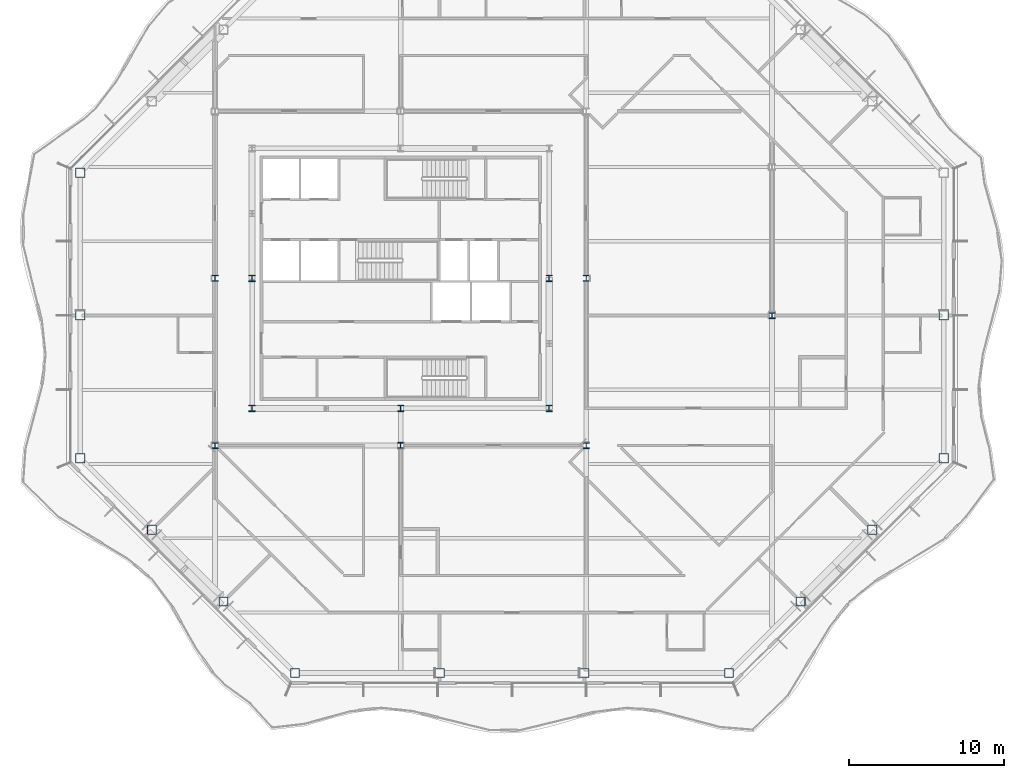
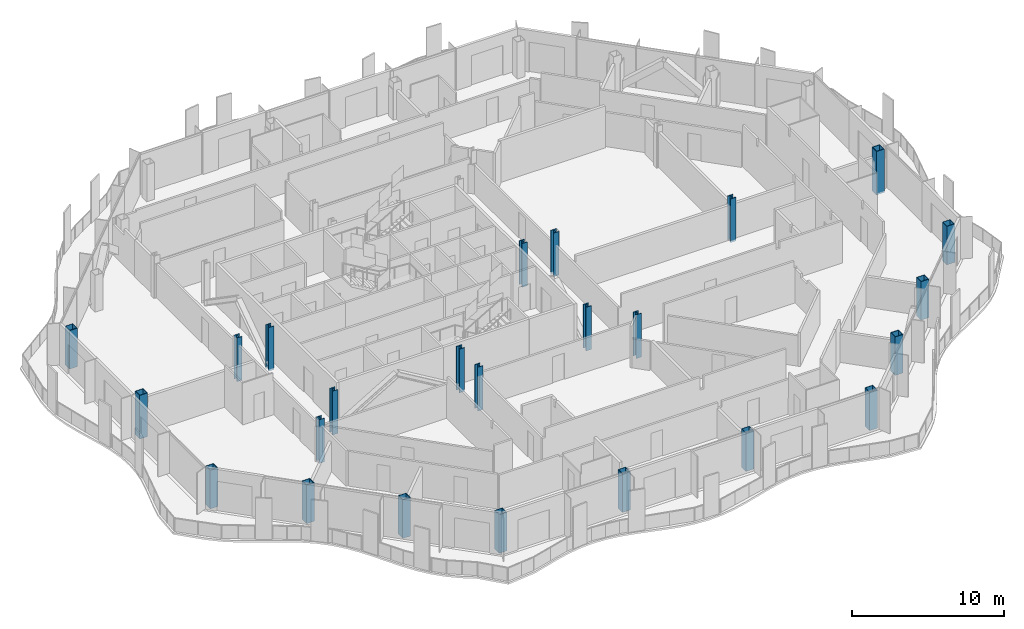
# One storey, part 1 of 19: 24 columns.
"""IFC4 building model written with IfcOpenShell, lengths in metres."""

from ifc_helpers import new_model, si_unit, direction, frame, origin, origin_2d, place, context, subcontext, project, spatial, hollow_rectangle, i_section, extrude, clip, halfspace, material, material_profile, profile_set, type_object, element, save


model = new_model("IFC4")

# Units and contexts
model_context = context("Model", 3, precision=1e-05, world=origin(), true_north=direction((0.0, 1.0)))
body_context = subcontext(model_context, "Body", "Model", "MODEL_VIEW")
ifc_project = project(units=[si_unit("LENGTHUNIT", "METRE"), si_unit("AREAUNIT", "SQUARE_METRE"), si_unit("VOLUMEUNIT", "CUBIC_METRE"), si_unit("PLANEANGLEUNIT", "RADIAN"), si_unit("MASSUNIT", "GRAM", prefix="KILO")], contexts=[model_context])

# Site, building, storey
site_placement = place(None, origin())
site = spatial("IfcSite", under=ifc_project, at=site_placement, CompositionType="ELEMENT")
building_placement = place(site_placement, origin())
building = spatial("IfcBuilding", under=site, at=building_placement, Name="Cairn Pilgrim Tower", CompositionType="ELEMENT")
storey_placement = place(building_placement, frame((0.0, 0.0, 201.0)))
storey = spatial("IfcBuildingStorey", under=building, at=storey_placement, Name="L51", CompositionType="ELEMENT", Elevation=201.0)

# Columns
ifc_material_1 = material(Name="Structural steel S460M", Category="steel")
ifc_material_profile_1 = material_profile(ifc_material_1, hollow_rectangle(XDim=0.60009765625, YDim=0.60009765625, WallThickness=0.034912109375, at=origin_2d()), Name="BOX 600x600x35")
ifc_profile_set_1 = profile_set([ifc_material_profile_1], Name="Structural steel S460M")
column_type_1 = type_object("IfcColumnType", Name="BOX 600x600x35", PredefinedType="COLUMN", material=ifc_profile_set_1)
for number, where, z_axis, x_axis, name in (
    (1, (0.372802734375, -23.10009765625, -0.14990234375), (0.0, 0.0, 1.0), (1.0, 0.0, 0.0), "PC2-S1"),
    (2, (9.724365234375, -23.10009765625, -0.14990234375), (0.0, 0.0, 1.0), (1.0, 0.0, 0.0), "PC2-S2"),
    (3, (19.07568359375, -23.10009765625, -0.14990234375), (0.0, 0.0, 1.0), (1.0, 0.0, 0.0), "PC2-S3"),
    (4, (28.42724609375, -23.10009765625, -0.14990234375), (0.0, 0.0, 1.0), (1.0, 0.0, 0.0), "PC2-SE1"),
    (5, (33.051513671875, -18.4755859375, -0.14990234375), (0.0, 0.0, 1.0), (1.0, 0.0, 0.0), "PC2-SE2"),
    (6, (37.67578125, -13.8515625, -0.14990234375), (0.0, 0.0, 1.0), (1.0, 0.0, 0.0), "PC2-SE3"),
    (7, (42.300048828125, -9.227294921875, -0.14990234375), (0.0, 0.0, 1.0), (1.0, 0.0, 0.0), "PC2-E1"),
):
    element("IfcColumn", number, at=place(storey_placement, frame(where, z_axis=z_axis, x_axis=x_axis)), inside=storey, type_object=column_type_1, Name=name, PredefinedType="COLUMN", context=body_context, shape_type="Clipping", body=[
        clip(clip(extrude(hollow_rectangle(XDim=0.60009765625, YDim=0.60009765625, WallThickness=0.034912109375, at=origin_2d()), origin(), (0.0, 0.0, 1.0), 3.5), halfspace(frame((0.0, 0.0, 0.01123046875), z_axis=(0.0, 0.0, 1.0), x_axis=(1.0, 0.0, 0.0)), True)), halfspace(frame((0.0, 0.0, 3.094970703125), z_axis=(0.0, 0.0, 1.0), x_axis=(1.0, 0.0, 0.0)), False)),
    ])
column_1_placement = place(storey_placement, frame((42.300048828125, 0.0, -0.14990234375), z_axis=(0.0, 0.0, 1.0), x_axis=(1.0, 0.0, 0.0)))
element("IfcColumn", 8, at=column_1_placement, inside=storey, type_object=column_type_1, Name="PC2-E2", PredefinedType="COLUMN", context=body_context, shape_type="Clipping", body=[
    clip(extrude(hollow_rectangle(XDim=0.60009765625, YDim=0.60009765625, WallThickness=0.034912109375, at=origin_2d()), origin(), (0.0, 0.0, 1.0), 3.5), halfspace(frame((0.0, 0.0, 0.01123046875), z_axis=(0.0, 0.0, 1.0), x_axis=(1.0, 0.0, 0.0)), True)),
])
column_2_placement = place(storey_placement, frame((-13.5, 9.227294921875, -0.14990234375), z_axis=(0.0, 0.0, 1.0), x_axis=(1.0, 0.0, 0.0)))
element("IfcColumn", 9, at=column_2_placement, inside=storey, type_object=column_type_1, Name="PC2-W1", PredefinedType="COLUMN", context=body_context, shape_type="Clipping", body=[
    clip(clip(extrude(hollow_rectangle(XDim=0.60009765625, YDim=0.60009765625, WallThickness=0.034912109375, at=origin_2d()), origin(), (0.0, 0.0, 1.0), 3.5), halfspace(frame((0.0, 0.0, 0.01123046875), z_axis=(0.0, 0.0, 1.0), x_axis=(1.0, 0.0, 0.0)), True)), halfspace(frame((0.0, 0.0, 3.094970703125), z_axis=(0.0, 0.0, 1.0), x_axis=(1.0, 0.0, 0.0)), False)),
])
column_3_placement = place(storey_placement, frame((-13.5, 0.0, -0.14990234375), z_axis=(0.0, 0.0, 1.0), x_axis=(1.0, 0.0, 0.0)))
element("IfcColumn", 10, at=column_3_placement, inside=storey, type_object=column_type_1, Name="PC2-W2", PredefinedType="COLUMN", context=body_context, shape_type="Clipping", body=[
    clip(extrude(hollow_rectangle(XDim=0.60009765625, YDim=0.60009765625, WallThickness=0.034912109375, at=origin_2d()), origin(), (0.0, 0.0, 1.0), 3.5), halfspace(frame((0.0, 0.0, 0.01123046875), z_axis=(0.0, 0.0, 1.0), x_axis=(1.0, 0.0, 0.0)), True)),
])
for number, where, z_axis, x_axis, name in (
    (11, (-13.5, -9.227294921875, -0.14990234375), (0.0, 0.0, 1.0), (1.0, 0.0, 0.0), "PC2-SW1"),
    (12, (-8.875732421875, -13.8515625, -0.14990234375), (0.0, 0.0, 1.0), (1.0, 0.0, 0.0), "PC2-SW2"),
    (13, (-4.25146484375, -18.4755859375, -0.14990234375), (0.0, 0.0, 1.0), (1.0, 0.0, 0.0), "PC2-SW3"),
):
    element("IfcColumn", number, at=place(storey_placement, frame(where, z_axis=z_axis, x_axis=x_axis)), inside=storey, type_object=column_type_1, Name=name, PredefinedType="COLUMN", context=body_context, shape_type="Clipping", body=[
        clip(clip(extrude(hollow_rectangle(XDim=0.60009765625, YDim=0.60009765625, WallThickness=0.034912109375, at=origin_2d()), origin(), (0.0, 0.0, 1.0), 3.5), halfspace(frame((0.0, 0.0, 0.01123046875), z_axis=(0.0, 0.0, 1.0), x_axis=(1.0, 0.0, 0.0)), True)), halfspace(frame((0.0, 0.0, 3.094970703125), z_axis=(0.0, 0.0, 1.0), x_axis=(1.0, 0.0, 0.0)), False)),
    ])
ifc_material_2 = material(Name="Structural steel S355J2", Category="steel")
ifc_material_profile_2 = material_profile(ifc_material_2, i_section(OverallWidth=0.39892578125, OverallDepth=0.39306640625, WebThickness=0.022705078125, FlangeThickness=0.03662109375, FilletRadius=0.014892578125, at=origin_2d()), Name="HD 400x287")
ifc_profile_set_2 = profile_set([ifc_material_profile_2], Name="Structural steel S355J2")
column_type_2 = type_object("IfcColumnType", Name="HD 400x287", PredefinedType="COLUMN", material=ifc_profile_set_2)
for number, where, z_axis, x_axis, name in (
    (14, (-4.800048828125, -8.39990234375, -0.14990234375), (0.0, 0.0, 1.0), (1.0, 0.0, 0.0), "IC-1"),
    (15, (7.199951171875, -8.39990234375, -0.14990234375), (0.0, 0.0, 1.0), (1.0, 0.0, 0.0), "IC-2"),
    (16, (19.199951171875, -8.39990234375, -0.14990234375), (0.0, 0.0, 1.0), (1.0, 0.0, 0.0), "IC-3"),
    (17, (-4.800048828125, 2.39990234375, -0.14990234375), (0.0, 0.0, 1.0), (1.0, 0.0, 0.0), "IC-4"),
    (18, (19.199951171875, 2.39990234375, -0.14990234375), (0.0, 0.0, 1.0), (1.0, 0.0, 0.0), "IC-5"),
):
    element("IfcColumn", number, at=place(storey_placement, frame(where, z_axis=z_axis, x_axis=x_axis)), inside=storey, type_object=column_type_2, Name=name, PredefinedType="COLUMN", context=body_context, shape_type="SweptSolid", body=[
        extrude(i_section(OverallWidth=0.39892578125, OverallDepth=0.39306640625, WebThickness=0.022705078125, FlangeThickness=0.03662109375, FilletRadius=0.014892578125, at=origin_2d()), origin(), (0.0, 0.0, 1.0), 3.5),
    ])
ifc_material_profile_3 = material_profile(ifc_material_1, i_section(OverallWidth=0.404052734375, OverallDepth=0.406982421875, WebThickness=0.027099609375, FlangeThickness=0.043701171875, FilletRadius=0.014892578125, at=origin_2d()), Name="HD 400x347")
ifc_profile_set_3 = profile_set([ifc_material_profile_3], Name="Structural steel S460M")
column_type_3 = type_object("IfcColumnType", Name="HD 400x347", PredefinedType="COLUMN", material=ifc_profile_set_3)
for number, where, z_axis, x_axis, name in (
    (19, (-2.39990234375, -6.0, -0.14990234375), (0.0, 0.0, 1.0), (1.0, 0.0, 0.0), "KC-1"),
    (20, (7.199951171875, -6.0, -0.14990234375), (0.0, 0.0, 1.0), (1.0, 0.0, 0.0), "KC-2"),
    (21, (16.800048828125, -6.0, -0.14990234375), (0.0, 0.0, 1.0), (1.0, 0.0, 0.0), "KC-3"),
    (22, (-2.39990234375, 2.39990234375, -0.14990234375), (0.0, 0.0, 1.0), (1.0, 0.0, 0.0), "KC-4"),
    (23, (16.800048828125, 2.39990234375, -0.14990234375), (0.0, 0.0, 1.0), (1.0, 0.0, 0.0), "KC-5"),
):
    element("IfcColumn", number, at=place(storey_placement, frame(where, z_axis=z_axis, x_axis=x_axis)), inside=storey, type_object=column_type_3, Name=name, PredefinedType="COLUMN", context=body_context, shape_type="SweptSolid", body=[
        extrude(i_section(OverallWidth=0.404052734375, OverallDepth=0.406982421875, WebThickness=0.027099609375, FlangeThickness=0.043701171875, FilletRadius=0.014892578125, at=origin_2d()), origin(), (0.0, 0.0, 1.0), 3.5),
    ])
ifc_material_profile_4 = material_profile(ifc_material_1, i_section(OverallWidth=0.408935546875, OverallDepth=0.425048828125, WebThickness=0.03271484375, FlangeThickness=0.052490234375, FilletRadius=0.014892578125, at=origin_2d()), Name="HD 400x421")
ifc_profile_set_4 = profile_set([ifc_material_profile_4], Name="Structural steel S460M")
column_type_4 = type_object("IfcColumnType", Name="HD 400x421", PredefinedType="COLUMN", material=ifc_profile_set_4)
column_4_placement = place(storey_placement, frame((31.199951171875, 0.0, -0.14990234375), z_axis=(0.0, 0.0, 1.0), x_axis=(1.0, 0.0, 0.0)))
element("IfcColumn", 24, at=column_4_placement, inside=storey, type_object=column_type_4, Name="WC-WE+0", PredefinedType="COLUMN", context=body_context, shape_type="SweptSolid", body=[
    extrude(i_section(OverallWidth=0.408935546875, OverallDepth=0.425048828125, WebThickness=0.03271484375, FlangeThickness=0.052490234375, FilletRadius=0.014892578125, at=origin_2d()), origin(), (0.0, 0.0, 1.0), 3.5),
])

save(model, "model.ifc")
